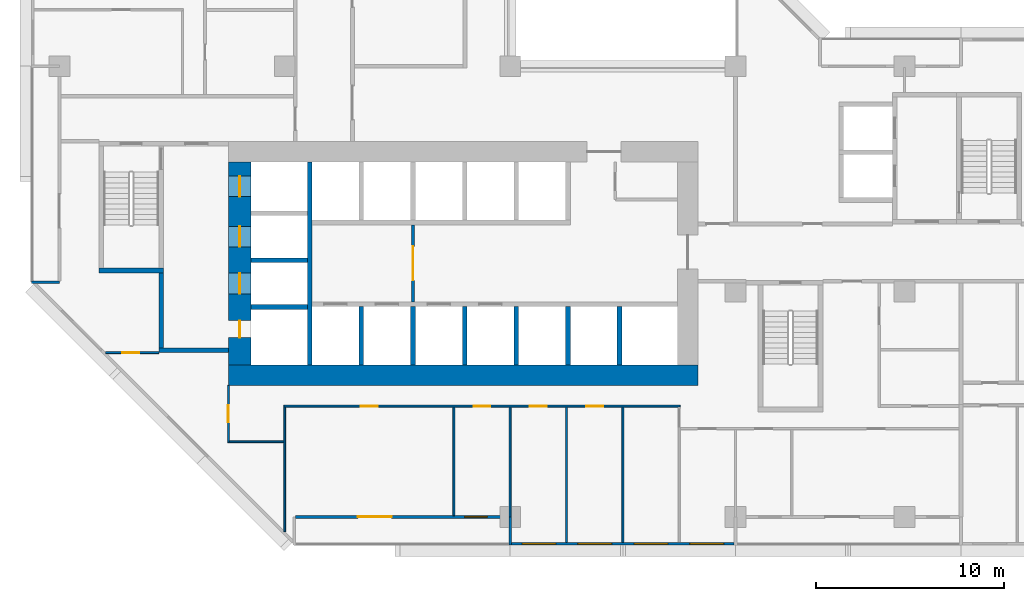
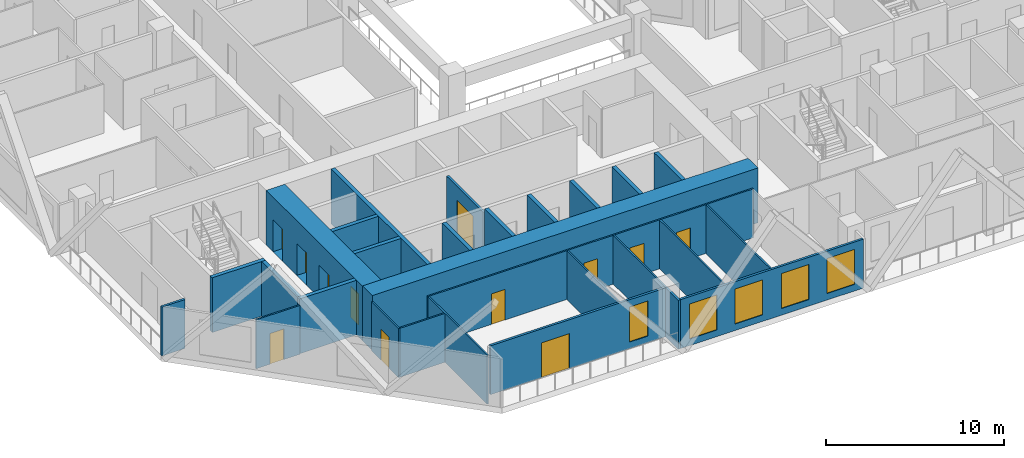
# One storey, part 4 of 16: 28 walls, 12 doors, 5 windows, 17 openings.
"""IFC4 building model written with IfcOpenShell, lengths in metres."""

import ifcopenshell
import ifcopenshell.guid

model = None  # the IFC model being written
_history = None  # IfcOwnerHistory: only IFC2X3 demands one
_inside = {}  # id of a spatial element -> (the spatial element, [elements in it])
_under = {}  # id of a project, library or spatial element -> (it, [spatial elements below it])
_declared = {}  # id of a project -> (the project, [libraries it declares])
_typed = {}  # id of a type object -> (the type object, [elements of that type])
_made_of = {}  # id of a material, layer set ... -> (it, [elements and type objects made of it])


def new_model(schema):
    """Start an empty IFC model of exactly this schema.

    Asked for "IFC4X3", IfcOpenShell would pick the latest addendum, in which some entities
    have other attributes; the version numbers below select the first issue.
    IFC2X3 requires an IfcOwnerHistory on every rooted entity: one is made here for all.
    """
    global model, _history
    if schema == "IFC4X3":
        model = ifcopenshell.file(schema_version=(4, 3, 0, 0))
    else:
        model = ifcopenshell.file(schema=schema)
    _inside.clear()
    _under.clear()
    _declared.clear()
    _typed.clear()
    _made_of.clear()
    _history = None
    if model.schema == "IFC2X3":
        org = make("IfcOrganization", Name="unknown")
        user = make(
            "IfcPersonAndOrganization",
            ThePerson=make("IfcPerson", FamilyName="unknown"),
            TheOrganization=org,
        )
        app = make(
            "IfcApplication",
            ApplicationDeveloper=org,
            Version="unknown",
            ApplicationFullName="unknown",
            ApplicationIdentifier="unknown",
        )
        _history = make(
            "IfcOwnerHistory",
            OwningUser=user,
            OwningApplication=app,
            ChangeAction="ADDED",
            CreationDate=0,
        )
    return model


def make(cls, **values):
    """One entity of the class cls with the attributes given. An attribute that is None is left unset."""
    return model.create_entity(
        cls, **{name: value for name, value in values.items() if value is not None}
    )


def rooted(cls, **values):
    """An entity with a GlobalId (a new one), such as an element, a storey or a relation."""
    return make(cls, GlobalId=ifcopenshell.guid.new(), OwnerHistory=_history, **values)


def si_unit(unit_type, name, prefix=None):
    """IfcSIUnit, for example si_unit("LENGTHUNIT", "METRE", prefix="MILLI")."""
    return make("IfcSIUnit", UnitType=unit_type, Prefix=prefix, Name=name)


def assignment(units):
    """IfcUnitAssignment: the units of a project."""
    return None if units is None else make("IfcUnitAssignment", Units=units)


def point(xyz):
    """IfcCartesianPoint."""
    return None if xyz is None else make("IfcCartesianPoint", Coordinates=xyz)


def direction(xyz):
    """IfcDirection."""
    return None if xyz is None else make("IfcDirection", DirectionRatios=xyz)


def frame(location, z_axis=None, x_axis=None):
    """IfcAxis2Placement3D, a coordinate frame: its origin and axes. An axis left out is left unset."""
    return make(
        "IfcAxis2Placement3D",
        Location=point(location),
        Axis=direction(z_axis),
        RefDirection=direction(x_axis),
    )


def frame_2d(location, x_axis=None):
    """IfcAxis2Placement2D, a coordinate frame in the plane: its origin and x axis."""
    return make(
        "IfcAxis2Placement2D", Location=point(location), RefDirection=direction(x_axis)
    )


def origin():
    """The frame at (0, 0, 0) with its axes left unset."""
    return frame((0.0, 0.0, 0.0))


def place(relative_to, where):
    """IfcLocalPlacement: puts the frame where relative to a parent placement (None: the world)."""
    return make(
        "IfcLocalPlacement", PlacementRelTo=relative_to, RelativePlacement=where
    )


def context(
    kind, dimensions, precision=None, world=None, true_north=None, identifier=None
):
    """IfcGeometricRepresentationContext, for example the 3D "Model" context."""
    return make(
        "IfcGeometricRepresentationContext",
        ContextIdentifier=identifier,
        ContextType=kind,
        CoordinateSpaceDimension=dimensions,
        Precision=precision,
        WorldCoordinateSystem=world,
        TrueNorth=true_north,
    )


def subcontext(parent, identifier, kind, view, scale=None):
    """IfcGeometricRepresentationSubContext, for example "Body" below "Model"."""
    return make(
        "IfcGeometricRepresentationSubContext",
        ContextIdentifier=identifier,
        ContextType=kind,
        ParentContext=parent,
        TargetScale=scale,
        TargetView=view,
    )


def project(units=None, contexts=None):
    """IfcProject with its units and contexts."""
    return rooted(
        "IfcProject",
        Name="project",
        RepresentationContexts=contexts,
        UnitsInContext=assignment(units),
    )


def spatial(cls, under=None, at=None, **own):
    """A site, building, storey or space (cls), placed at a placement, below another one or the project."""
    s = rooted(cls, ObjectPlacement=at, **own)
    if under is not None:
        _under.setdefault(under.id(), (under, []))[1].append(s)
    return s


def profile(cls, at=None, kind="AREA", **sizes):
    """A parametric profile (cls). Its sizes go by their IFC names, for example OverallWidth=200.0."""
    return make(cls, ProfileType=kind, Position=at, **sizes)


def rectangle(**sizes):
    """IfcRectangleProfileDef."""
    return profile("IfcRectangleProfileDef", **sizes)


def extrude(swept, where, along, depth):
    """IfcExtrudedAreaSolid: the profile swept, set in the frame where, extruded along a direction by depth."""
    return make(
        "IfcExtrudedAreaSolid",
        SweptArea=swept,
        Position=where,
        ExtrudedDirection=direction(along),
        Depth=depth,
    )


def shape(context_of_items, identifier, shape_type, items):
    """IfcShapeRepresentation: the items that make up one representation, for example the "Body"."""
    return make(
        "IfcShapeRepresentation",
        ContextOfItems=context_of_items,
        RepresentationIdentifier=identifier,
        RepresentationType=shape_type,
        Items=items,
    )


def material(Name=None, Category=None):
    """IfcMaterial."""
    return make("IfcMaterial", Name=Name, Category=Category)


def layer(
    of_material, thickness, ventilated=None, Name=None, Category=None, Priority=None
):
    """IfcMaterialLayer: one layer of a wall or slab, of a material (None: an air gap)."""
    return make(
        "IfcMaterialLayer",
        Material=of_material,
        LayerThickness=thickness,
        IsVentilated=ventilated,
        Name=Name,
        Category=Category,
        Priority=Priority,
    )


def layer_set(layers, Name=None):
    """IfcMaterialLayerSet."""
    return make("IfcMaterialLayerSet", MaterialLayers=layers, LayerSetName=Name)


def made_of(thing, what):
    """Note that an element or type object is made of a material, layer set ...; save() writes the relation."""
    if what is not None:
        _made_of.setdefault(what.id(), (what, []))[1].append(thing)
    return thing


def type_object(cls, material=None, **own):
    """A type object (cls), such as IfcWallType, which elements share."""
    return made_of(rooted(cls, **own), material)


def element(
    cls,
    number,
    at=None,
    inside=None,
    cuts=None,
    type_object=None,
    material=None,
    context=None,
    identifier="Body",
    shape_type=None,
    held_by="IfcProductDefinitionShape",
    body=None,
    shapes=None,
    **own,
):
    """One element of the class cls, such as IfcWall. Its Tag is "e" and its number.

    at: its placement. inside: the storey or other place that contains it. cuts: it is an
    opening in that element (IfcRelVoidsElement). A single representation is given by context,
    identifier, shape_type and body (its items); several are given by shapes. held_by: the class
    of the entity that holds the representations. save() writes the other relations.
    """
    e = rooted(cls, Tag="e%d" % number, ObjectPlacement=at, **own)
    if body is not None:
        shapes = [shape(context, identifier, shape_type, body)]
    if shapes is not None:
        e.Representation = make(held_by, Representations=shapes)
    if inside is not None:
        _inside.setdefault(inside.id(), (inside, []))[1].append(e)
    if cuts is not None:
        rooted(
            "IfcRelVoidsElement", RelatingBuildingElement=cuts, RelatedOpeningElement=e
        )
    if type_object is not None:
        _typed.setdefault(type_object.id(), (type_object, []))[1].append(e)
    return made_of(e, material)


def fill(opening, filler):
    """IfcRelFillsElement: the door or window that sits in an opening."""
    return rooted(
        "IfcRelFillsElement",
        RelatingOpeningElement=opening,
        RelatedBuildingElement=filler,
    )


def aggregate(whole, parts):
    """IfcRelAggregates: a whole, such as a stair, and the parts it consists of."""
    return rooted("IfcRelAggregates", RelatingObject=whole, RelatedObjects=parts)


def save(model, path):
    """Write the relations noted so far, then the file.

    IfcRelAggregates (storeys below a building ...), IfcRelContainedInSpatialStructure (elements
    in a storey), IfcRelDefinesByType, IfcRelAssociatesMaterial and IfcRelDeclares: one each for
    every whole, place, type object, material and project.
    """
    for whole, parts in _under.values():
        aggregate(whole, parts)
    for where, things in _inside.values():
        rooted(
            "IfcRelContainedInSpatialStructure",
            RelatedElements=things,
            RelatingStructure=where,
        )
    for kind, things in _typed.values():
        rooted("IfcRelDefinesByType", RelatedObjects=things, RelatingType=kind)
    for what, things in _made_of.values():
        rooted("IfcRelAssociatesMaterial", RelatedObjects=things, RelatingMaterial=what)
    for by, libraries in _declared.values():
        rooted("IfcRelDeclares", RelatingContext=by, RelatedDefinitions=libraries)
    model.write(path)


model = new_model("IFC4")

# Units and contexts
model_context = context("Model", 3, precision=1e-05, world=origin(), true_north=direction((0.0, 1.0)))
body_context = subcontext(model_context, "Body", "Model", "MODEL_VIEW")
ifc_project = project(units=[si_unit("LENGTHUNIT", "METRE"), si_unit("AREAUNIT", "SQUARE_METRE"), si_unit("VOLUMEUNIT", "CUBIC_METRE"), si_unit("PLANEANGLEUNIT", "RADIAN"), si_unit("MASSUNIT", "GRAM", prefix="KILO")], contexts=[model_context])

# Site, building, storey
site_placement = place(None, origin())
site = spatial("IfcSite", under=ifc_project, at=site_placement, CompositionType="ELEMENT")
building_placement = place(site_placement, origin())
building = spatial("IfcBuilding", under=site, at=building_placement, Name="Chenar Terraces", CompositionType="ELEMENT")
storey_placement = place(building_placement, frame((0.0, 0.0, 71.39990234375)))
storey = spatial("IfcBuildingStorey", under=building, at=storey_placement, Name="L15", CompositionType="ELEMENT", Elevation=71.39990234375)

# Wall, opening, door
ifc_material_1 = material(Name="Gypsum board on steel studs", Category="steel")
ifc_layer_1 = layer(ifc_material_1, 0.14990234375)
ifc_layer_set_1 = layer_set([ifc_layer_1], Name="Gypsum board on steel studs")
wall_type_1 = type_object("IfcWallType", Name="Core partition 150 gypsum board", PredefinedType="PARTITIONING", material=ifc_layer_set_1)
wall_1_placement = place(storey_placement, frame((18.824951171875, 11.449951171875, 0.0), z_axis=(0.0, 0.0, 1.0), x_axis=(0.0, 1.0, 0.0)))
wall_1 = element("IfcWall", 1, at=wall_1_placement, inside=storey, type_object=wall_type_1, Name="Core partition CP1 lift lobby smoke stop", PredefinedType="PARTITIONING", context=body_context, shape_type="SweptSolid", body=[
    extrude(rectangle(XDim=4.10009765625, YDim=0.14990234375, at=frame_2d((2.050048828125, 0.0))), origin(), (0.0, 0.0, 1.0), 3.35009765625),
])
opening_1_placement = place(wall_1_placement, frame((1.14990234375, 0.0, 0.0)))
opening_1 = element("IfcOpeningElement", 2, at=opening_1_placement, cuts=wall_1, Name="Opening DL15-C12", PredefinedType="OPENING", context=body_context, shape_type="SweptSolid", body=[
    extrude(rectangle(XDim=1.800048828125, YDim=2.39990234375, at=frame_2d((0.89990234375, 1.199951171875))), frame((0.0, 0.0849609375, 0.0), z_axis=(0.0, -1.0, 0.0), x_axis=(1.0, 0.0, 0.0)), (0.0, 0.0, 1.0), 0.169921875),
])
ifc_material_2 = material(Name="Steel-framed fire-resisting door leaf", Category="steel")
door_type_1 = type_object("IfcDoorType", Name="Core entrance double fire door FD60 1800 x 2400", OperationType="DOUBLE_DOOR_SINGLE_SWING", PredefinedType="DOOR", material=ifc_material_2)
door_1_placement = place(opening_1_placement, origin())
door_1 = element("IfcDoor", 3, at=door_1_placement, inside=storey, type_object=door_type_1, Name="Core door DL15-C12", OperationType="DOUBLE_DOOR_SINGLE_SWING", OverallHeight=2.39990234375, OverallWidth=1.800048828125, PredefinedType="DOOR", context=body_context, shape_type="SweptSolid", body=[
    extrude(rectangle(XDim=1.800048828125, YDim=2.39990234375, at=frame_2d((0.89990234375, 1.199951171875))), frame((0.0, 0.02490234375, 0.0), z_axis=(0.0, -1.0, 0.0), x_axis=(1.0, 0.0, 0.0)), (0.0, 0.0, 1.0), 0.050048828125),
])
fill(opening_1, door_1)

# Wall
ifc_material_3 = material(Name="Concrete C70/85", Category="concrete")
ifc_layer_2 = layer(ifc_material_3, 1.10009765625)
ifc_layer_set_2 = layer_set([ifc_layer_2], Name="Concrete C70/85")
wall_type_2 = type_object("IfcWallType", Name="Core wall 1100 Concrete C70/85", PredefinedType="SHEAR", material=ifc_layer_set_2)
wall_2_placement = place(storey_placement, frame((9.0, 7.550048828125, 0.0), z_axis=(0.0, 0.0, 1.0), x_axis=(1.0, 0.0, 0.0)))
element("IfcWall", 4, at=wall_2_placement, inside=storey, type_object=wall_type_2, Name="Core wall S L15", PredefinedType="SHEAR", context=body_context, shape_type="SweptSolid", body=[
    extrude(rectangle(XDim=25.0, YDim=1.10009765625, at=frame_2d((12.5, 0.0))), origin(), (0.0, 0.0, 1.0), 3.75),
])

# Wall, openings, doors
ifc_material_4 = material(Name="Concrete C70/85", Category="concrete")
ifc_layer_3 = layer(ifc_material_4, 1.199951171875)
ifc_layer_set_3 = layer_set([ifc_layer_3], Name="Concrete C70/85")
wall_type_3 = type_object("IfcWallType", Name="Core wall 1200 Concrete C70/85", PredefinedType="SHEAR", material=ifc_layer_set_3)
wall_3_placement = place(storey_placement, frame((9.60009765625, 8.10009765625, 0.0), z_axis=(0.0, 0.0, 1.0), x_axis=(0.0, 1.0, 0.0)))
wall_3 = element("IfcWall", 5, at=wall_3_placement, inside=storey, type_object=wall_type_3, Name="Core wall W L15", PredefinedType="SHEAR", context=body_context, shape_type="SweptSolid", body=[
    extrude(rectangle(XDim=10.7998046875, YDim=1.199951171875, at=frame_2d((5.39990234375, 0.0))), origin(), (0.0, 0.0, 1.0), 3.75),
])
opening_2_placement = place(wall_3_placement, frame((3.77490234375, 0.0, 0.0)))
opening_2 = element("IfcOpeningElement", 6, at=opening_2_placement, cuts=wall_3, Name="Opening DL15-LD5", PredefinedType="OPENING", context=body_context, shape_type="SweptSolid", body=[
    extrude(rectangle(XDim=1.10009765625, YDim=2.199951171875, at=frame_2d((0.550048828125, 1.10009765625))), frame((0.0, 0.60986328125, 0.0), z_axis=(0.0, -1.0, 0.0), x_axis=(1.0, 0.0, 0.0)), (0.0, 0.0, 1.0), 1.219970703125),
])
opening_3_placement = place(wall_3_placement, frame((6.27490234375, 0.0, 0.0)))
opening_3 = element("IfcOpeningElement", 7, at=opening_3_placement, cuts=wall_3, Name="Opening DL15-LD6", PredefinedType="OPENING", context=body_context, shape_type="SweptSolid", body=[
    extrude(rectangle(XDim=1.10009765625, YDim=2.199951171875, at=frame_2d((0.550048828125, 1.10009765625))), frame((0.0, 0.60986328125, 0.0), z_axis=(0.0, -1.0, 0.0), x_axis=(1.0, 0.0, 0.0)), (0.0, 0.0, 1.0), 1.219970703125),
])
opening_4_placement = place(wall_3_placement, frame((8.949951171875, 0.0, 0.0)))
opening_4 = element("IfcOpeningElement", 8, at=opening_4_placement, cuts=wall_3, Name="Opening DL15-LD7", PredefinedType="OPENING", context=body_context, shape_type="SweptSolid", body=[
    extrude(rectangle(XDim=1.10009765625, YDim=2.199951171875, at=frame_2d((0.550048828125, 1.10009765625))), frame((0.0, 0.60986328125, 0.0), z_axis=(0.0, -1.0, 0.0), x_axis=(1.0, 0.0, 0.0)), (0.0, 0.0, 1.0), 1.219970703125),
])
opening_5_placement = place(wall_3_placement, frame((1.449951171875, 0.0, 0.0)))
opening_5 = element("IfcOpeningElement", 9, at=opening_5_placement, cuts=wall_3, Name="Opening DL15-C4", PredefinedType="OPENING", context=body_context, shape_type="SweptSolid", body=[
    extrude(rectangle(XDim=0.89990234375, YDim=2.10009765625, at=frame_2d((0.449951171875, 1.050048828125))), frame((0.0, 0.60986328125, 0.0), z_axis=(0.0, -1.0, 0.0), x_axis=(1.0, 0.0, 0.0)), (0.0, 0.0, 1.0), 1.219970703125),
])
ifc_material_5 = material(Name="Stainless steel", Category="steel")
door_type_2 = type_object("IfcDoorType", Name="Lift landing door 1100 x 2200 sliding", OperationType="DOUBLE_DOOR_SLIDING", PredefinedType="DOOR", material=ifc_material_5)
door_2_placement = place(opening_2_placement, origin())
door_2 = element("IfcDoor", 10, at=door_2_placement, inside=storey, type_object=door_type_2, Name="Landing door S1", OperationType="DOUBLE_DOOR_SLIDING", OverallHeight=2.199951171875, OverallWidth=1.10009765625, PredefinedType="DOOR", context=body_context, shape_type="SweptSolid", body=[
    extrude(rectangle(XDim=1.10009765625, YDim=2.199951171875, at=frame_2d((0.550048828125, 1.10009765625))), frame((0.0, 0.02490234375, 0.0), z_axis=(0.0, -1.0, 0.0), x_axis=(1.0, 0.0, 0.0)), (0.0, 0.0, 1.0), 0.050048828125),
])
fill(opening_2, door_2)
door_3_placement = place(opening_3_placement, origin())
door_3 = element("IfcDoor", 11, at=door_3_placement, inside=storey, type_object=door_type_2, Name="Landing door F1", OperationType="DOUBLE_DOOR_SLIDING", OverallHeight=2.199951171875, OverallWidth=1.10009765625, PredefinedType="DOOR", context=body_context, shape_type="SweptSolid", body=[
    extrude(rectangle(XDim=1.10009765625, YDim=2.199951171875, at=frame_2d((0.550048828125, 1.10009765625))), frame((0.0, 0.02490234375, 0.0), z_axis=(0.0, -1.0, 0.0), x_axis=(1.0, 0.0, 0.0)), (0.0, 0.0, 1.0), 0.050048828125),
])
fill(opening_3, door_3)
door_4_placement = place(opening_4_placement, origin())
door_4 = element("IfcDoor", 12, at=door_4_placement, inside=storey, type_object=door_type_2, Name="Landing door F2", OperationType="DOUBLE_DOOR_SLIDING", OverallHeight=2.199951171875, OverallWidth=1.10009765625, PredefinedType="DOOR", context=body_context, shape_type="SweptSolid", body=[
    extrude(rectangle(XDim=1.10009765625, YDim=2.199951171875, at=frame_2d((0.550048828125, 1.10009765625))), frame((0.0, 0.02490234375, 0.0), z_axis=(0.0, -1.0, 0.0), x_axis=(1.0, 0.0, 0.0)), (0.0, 0.0, 1.0), 0.050048828125),
])
fill(opening_4, door_4)
ifc_material_6 = material(Name="Steel-framed fire-resisting door leaf", Category="steel")
door_type_3 = type_object("IfcDoorType", Name="Riser fire door FD60 900 x 2100", OperationType="SINGLE_SWING_LEFT", PredefinedType="DOOR", material=ifc_material_6)
door_5_placement = place(opening_5_placement, frame((0.89990234375, 0.0, 0.0), z_axis=(0.0, 0.0, 1.0), x_axis=(-1.0, 0.0, 0.0)))
door_5 = element("IfcDoor", 13, at=door_5_placement, inside=storey, type_object=door_type_3, Name="Riser door DL15-C4", OperationType="SINGLE_SWING_RIGHT", OverallHeight=2.10009765625, OverallWidth=0.89990234375, PredefinedType="DOOR", context=body_context, shape_type="SweptSolid", body=[
    extrude(rectangle(XDim=0.89990234375, YDim=2.10009765625, at=frame_2d((0.449951171875, 1.050048828125))), frame((0.0, 0.02490234375, 0.0), z_axis=(0.0, -1.0, 0.0), x_axis=(1.0, 0.0, 0.0)), (0.0, 0.0, 1.0), 0.050048828125),
])
fill(opening_5, door_5)

# Walls
ifc_material_7 = material(Name="Concrete C70/85", Category="concrete")
ifc_layer_4 = layer(ifc_material_7, 0.25)
ifc_layer_set_4 = layer_set([ifc_layer_4], Name="Concrete C70/85")
wall_type_4 = type_object("IfcWallType", Name="Core wall 250 Concrete C70/85", PredefinedType="SHEAR", material=ifc_layer_set_4)
wall_4_placement = place(storey_placement, frame((13.324951171875, 8.10009765625, 0.0), z_axis=(0.0, 0.0, 1.0), x_axis=(0.0, 1.0, 0.0)))
element("IfcWall", 14, at=wall_4_placement, inside=storey, type_object=wall_type_4, Name="Core wall WI L15", PredefinedType="SHEAR", context=body_context, shape_type="SweptSolid", body=[
    extrude(rectangle(XDim=10.7998046875, YDim=0.25, at=frame_2d((5.39990234375, 0.0))), origin(), (0.0, 0.0, 1.0), 3.75),
])
for number, where, z_axis, x_axis, name in (
    (15, (10.199951171875, 11.175048828125, 0.0), (0.0, 0.0, 1.0), (1.0, 0.0, 0.0), "Core wall HW0 L15"),
    (16, (10.199951171875, 13.675048828125, 0.0), (0.0, 0.0, 1.0), (1.0, 0.0, 0.0), "Core wall HW1 L15"),
):
    element("IfcWall", number, at=place(storey_placement, frame(where, z_axis=z_axis, x_axis=x_axis)), inside=storey, type_object=wall_type_4, Name=name, PredefinedType="SHEAR", context=body_context, shape_type="SweptSolid", body=[
        extrude(rectangle(XDim=3.0, YDim=0.25, at=frame_2d((1.5, 0.0))), origin(), (0.0, 0.0, 1.0), 3.75),
    ])
for number, where, z_axis, x_axis, name in (
    (17, (16.074951171875, 8.10009765625, 0.0), (0.0, 0.0, 1.0), (0.0, 1.0, 0.0), "Core wall SS0 L15"),
    (18, (18.824951171875, 8.10009765625, 0.0), (0.0, 0.0, 1.0), (0.0, 1.0, 0.0), "Core wall SS1 L15"),
    (19, (21.574951171875, 8.10009765625, 0.0), (0.0, 0.0, 1.0), (0.0, 1.0, 0.0), "Core wall SS2 L15"),
    (20, (24.324951171875, 8.10009765625, 0.0), (0.0, 0.0, 1.0), (0.0, 1.0, 0.0), "Core wall SS3 L15"),
    (21, (27.074951171875, 8.10009765625, 0.0), (0.0, 0.0, 1.0), (0.0, 1.0, 0.0), "Core wall SS4 L15"),
    (22, (29.824951171875, 8.10009765625, 0.0), (0.0, 0.0, 1.0), (0.0, 1.0, 0.0), "Core wall SS5 L15"),
):
    element("IfcWall", number, at=place(storey_placement, frame(where, z_axis=z_axis, x_axis=x_axis)), inside=storey, type_object=wall_type_4, Name=name, PredefinedType="SHEAR", context=body_context, shape_type="SweptSolid", body=[
        extrude(rectangle(XDim=3.099853515625, YDim=0.25, at=frame_2d((1.5498046875, 0.0))), origin(), (0.0, 0.0, 1.0), 3.75),
    ])
wall_5_placement = place(storey_placement, frame((2.10009765625, 13.125, 0.0), z_axis=(0.0, 0.0, 1.0), x_axis=(1.0, 0.0, 0.0)))
element("IfcWall", 23, at=wall_5_placement, inside=storey, type_object=wall_type_4, Name="Core wall ST1_S L15", PredefinedType="SHEAR", context=body_context, shape_type="SweptSolid", body=[
    extrude(rectangle(XDim=3.449951171875, YDim=0.25, at=frame_2d((1.72509765625, 0.0))), origin(), (0.0, 0.0, 1.0), 3.75),
])
wall_6_placement = place(storey_placement, frame((5.300048828125, 8.875, 0.0), z_axis=(0.0, 0.0, 1.0), x_axis=(1.0, 0.0, 0.0)))
element("IfcWall", 24, at=wall_6_placement, inside=storey, type_object=wall_type_4, Name="Core wall FFL_S L15", PredefinedType="SHEAR", context=body_context, shape_type="SweptSolid", body=[
    extrude(rectangle(XDim=3.699951171875, YDim=0.25, at=frame_2d((1.85009765625, 0.0))), origin(), (0.0, 0.0, 1.0), 3.75),
])
wall_7_placement = place(storey_placement, frame((5.425048828125, 9.0, 0.0), z_axis=(0.0, 0.0, 1.0), x_axis=(0.0, 1.0, 0.0)))
element("IfcWall", 25, at=wall_7_placement, inside=storey, type_object=wall_type_4, Name="Core wall FFL_W L15", PredefinedType="SHEAR", context=body_context, shape_type="SweptSolid", body=[
    extrude(rectangle(XDim=4.0, YDim=0.25, at=frame_2d((2.0, 0.0))), origin(), (0.0, 0.0, 1.0), 3.75),
])

# Wall, openings, windows
ifc_material_8 = material(Name="Aluminium framed glazing", Category="aluminium")
ifc_layer_5 = layer(ifc_material_8, 0.14990234375)
ifc_layer_set_5 = layer_set([ifc_layer_5], Name="Aluminium framed glazing")
wall_type_5 = type_object("IfcWallType", Name="Glazed flush facade wall 150", PredefinedType="SOLIDWALL", material=ifc_layer_set_5)
wall_8_placement = place(storey_placement, frame((24.074951171875, -1.425048828125, 0.0), z_axis=(0.0, 0.0, 1.0), x_axis=(1.0, 0.0, 0.0)))
wall_8 = element("IfcWall", 26, at=wall_8_placement, inside=storey, type_object=wall_type_5, Name="Glazed flush facade wall", PredefinedType="SOLIDWALL", context=body_context, shape_type="SweptSolid", body=[
    extrude(rectangle(XDim=11.85009765625, YDim=0.14990234375, at=frame_2d((5.925048828125, 0.0))), origin(), (0.0, 0.0, 1.0), 3.35009765625),
])
opening_6_placement = place(wall_8_placement, frame((0.5625, 0.0, 0.449951171875)))
opening_6 = element("IfcOpeningElement", 27, at=opening_6_placement, cuts=wall_8, Name="Opening W180x240", PredefinedType="OPENING", context=body_context, shape_type="SweptSolid", body=[
    extrude(rectangle(XDim=1.800048828125, YDim=2.39990234375, at=frame_2d((0.89990234375, 1.199951171875))), frame((0.0, 0.0849609375, 0.0), z_axis=(0.0, -1.0, 0.0), x_axis=(1.0, 0.0, 0.0)), (0.0, 0.0, 1.0), 0.169921875),
])
opening_7_placement = place(wall_8_placement, frame((3.52490234375, 0.0, 0.449951171875)))
opening_7 = element("IfcOpeningElement", 28, at=opening_7_placement, cuts=wall_8, Name="Opening W180x240", PredefinedType="OPENING", context=body_context, shape_type="SweptSolid", body=[
    extrude(rectangle(XDim=1.800048828125, YDim=2.39990234375, at=frame_2d((0.89990234375, 1.199951171875))), frame((0.0, 0.0849609375, 0.0), z_axis=(0.0, -1.0, 0.0), x_axis=(1.0, 0.0, 0.0)), (0.0, 0.0, 1.0), 0.169921875),
])
opening_8_placement = place(wall_8_placement, frame((6.52490234375, 0.0, 0.449951171875)))
opening_8 = element("IfcOpeningElement", 29, at=opening_8_placement, cuts=wall_8, Name="Opening W180x240", PredefinedType="OPENING", context=body_context, shape_type="SweptSolid", body=[
    extrude(rectangle(XDim=1.800048828125, YDim=2.39990234375, at=frame_2d((0.89990234375, 1.199951171875))), frame((0.0, 0.0849609375, 0.0), z_axis=(0.0, -1.0, 0.0), x_axis=(1.0, 0.0, 0.0)), (0.0, 0.0, 1.0), 0.169921875),
])
opening_9_placement = place(wall_8_placement, frame((9.487548828125, 0.0, 0.449951171875)))
opening_9 = element("IfcOpeningElement", 30, at=opening_9_placement, cuts=wall_8, Name="Opening W180x240", PredefinedType="OPENING", context=body_context, shape_type="SweptSolid", body=[
    extrude(rectangle(XDim=1.800048828125, YDim=2.39990234375, at=frame_2d((0.89990234375, 1.199951171875))), frame((0.0, 0.0849609375, 0.0), z_axis=(0.0, -1.0, 0.0), x_axis=(1.0, 0.0, 0.0)), (0.0, 0.0, 1.0), 0.169921875),
])
ifc_material_9 = material(Name="Low emissivity double glazing, aluminium frame", Category="aluminium")
window_type_1 = type_object("IfcWindowType", Name="Fixed light 1800 x 2400", PartitioningType="SINGLE_PANEL", PredefinedType="WINDOW", material=ifc_material_9)
window_1_placement = place(opening_6_placement, origin())
window_1 = element("IfcWindow", 31, at=window_1_placement, inside=storey, type_object=window_type_1, Name="Window", OverallHeight=2.39990234375, OverallWidth=1.800048828125, PartitioningType="SINGLE_PANEL", PredefinedType="WINDOW", context=body_context, shape_type="SweptSolid", body=[
    extrude(rectangle(XDim=1.800048828125, YDim=2.39990234375, at=frame_2d((0.89990234375, 1.199951171875))), frame((0.0, 0.030029296875, 0.0), z_axis=(0.0, -1.0, 0.0), x_axis=(1.0, 0.0, 0.0)), (0.0, 0.0, 1.0), 0.06005859375),
])
fill(opening_6, window_1)
window_2_placement = place(opening_7_placement, origin())
window_2 = element("IfcWindow", 32, at=window_2_placement, inside=storey, type_object=window_type_1, Name="Window", OverallHeight=2.39990234375, OverallWidth=1.800048828125, PartitioningType="SINGLE_PANEL", PredefinedType="WINDOW", context=body_context, shape_type="SweptSolid", body=[
    extrude(rectangle(XDim=1.800048828125, YDim=2.39990234375, at=frame_2d((0.89990234375, 1.199951171875))), frame((0.0, 0.030029296875, 0.0), z_axis=(0.0, -1.0, 0.0), x_axis=(1.0, 0.0, 0.0)), (0.0, 0.0, 1.0), 0.06005859375),
])
fill(opening_7, window_2)
window_3_placement = place(opening_8_placement, origin())
window_3 = element("IfcWindow", 33, at=window_3_placement, inside=storey, type_object=window_type_1, Name="Window", OverallHeight=2.39990234375, OverallWidth=1.800048828125, PartitioningType="SINGLE_PANEL", PredefinedType="WINDOW", context=body_context, shape_type="SweptSolid", body=[
    extrude(rectangle(XDim=1.800048828125, YDim=2.39990234375, at=frame_2d((0.89990234375, 1.199951171875))), frame((0.0, 0.030029296875, 0.0), z_axis=(0.0, -1.0, 0.0), x_axis=(1.0, 0.0, 0.0)), (0.0, 0.0, 1.0), 0.06005859375),
])
fill(opening_8, window_3)
window_4_placement = place(opening_9_placement, origin())
window_4 = element("IfcWindow", 34, at=window_4_placement, inside=storey, type_object=window_type_1, Name="Window", OverallHeight=2.39990234375, OverallWidth=1.800048828125, PartitioningType="SINGLE_PANEL", PredefinedType="WINDOW", context=body_context, shape_type="SweptSolid", body=[
    extrude(rectangle(XDim=1.800048828125, YDim=2.39990234375, at=frame_2d((0.89990234375, 1.199951171875))), frame((0.0, 0.030029296875, 0.0), z_axis=(0.0, -1.0, 0.0), x_axis=(1.0, 0.0, 0.0)), (0.0, 0.0, 1.0), 0.06005859375),
])
fill(opening_9, window_4)

# Wall, openings, window, door
ifc_material_10 = material(Name="Aluminium framed glazing", Category="aluminium")
ifc_layer_6 = layer(ifc_material_10, 0.14990234375)
ifc_layer_set_6 = layer_set([ifc_layer_6], Name="Aluminium framed glazing")
wall_type_6 = type_object("IfcWallType", Name="Glazed loggia back wall 150", PredefinedType="SOLIDWALL", material=ifc_layer_set_6)
wall_9_placement = place(storey_placement, frame((12.574951171875, 0.0, 0.0), z_axis=(0.0, 0.0, 1.0), x_axis=(1.0, 0.0, 0.0)))
wall_9 = element("IfcWall", 35, at=wall_9_placement, inside=storey, type_object=wall_type_6, Name="Glazed loggia back wall", PredefinedType="SOLIDWALL", context=body_context, shape_type="SweptSolid", body=[
    extrude(rectangle(XDim=11.35009765625, YDim=0.14990234375, at=frame_2d((5.675048828125, 0.0))), origin(), (0.0, 0.0, 1.0), 3.35009765625),
])
opening_10_placement = place(wall_9_placement, frame((3.3125, 0.0, 0.0)))
opening_10 = element("IfcOpeningElement", 36, at=opening_10_placement, cuts=wall_9, Name="Opening DL15-G5", PredefinedType="OPENING", context=body_context, shape_type="SweptSolid", body=[
    extrude(rectangle(XDim=1.800048828125, YDim=2.39990234375, at=frame_2d((0.89990234375, 1.199951171875))), frame((0.0, 0.0849609375, 0.0), z_axis=(0.0, -1.0, 0.0), x_axis=(1.0, 0.0, 0.0)), (0.0, 0.0, 1.0), 0.169921875),
])
opening_11_placement = place(wall_9_placement, frame((9.0, 0.0, 0.449951171875)))
opening_11 = element("IfcOpeningElement", 37, at=opening_11_placement, cuts=wall_9, Name="Opening W120x240", PredefinedType="OPENING", context=body_context, shape_type="SweptSolid", body=[
    extrude(rectangle(XDim=1.199951171875, YDim=2.39990234375, at=frame_2d((0.60009765625, 1.199951171875))), frame((0.0, 0.0849609375, 0.0), z_axis=(0.0, -1.0, 0.0), x_axis=(1.0, 0.0, 0.0)), (0.0, 0.0, 1.0), 0.169921875),
])
ifc_material_11 = material(Name="Low emissivity double glazing, aluminium frame", Category="aluminium")
window_type_2 = type_object("IfcWindowType", Name="Fixed light 1200 x 2400", PartitioningType="SINGLE_PANEL", PredefinedType="WINDOW", material=ifc_material_11)
window_5_placement = place(opening_11_placement, origin())
window_5 = element("IfcWindow", 38, at=window_5_placement, inside=storey, type_object=window_type_2, Name="Window", OverallHeight=2.39990234375, OverallWidth=1.199951171875, PartitioningType="SINGLE_PANEL", PredefinedType="WINDOW", context=body_context, shape_type="SweptSolid", body=[
    extrude(rectangle(XDim=1.199951171875, YDim=2.39990234375, at=frame_2d((0.60009765625, 1.199951171875))), frame((0.0, 0.030029296875, 0.0), z_axis=(0.0, -1.0, 0.0), x_axis=(1.0, 0.0, 0.0)), (0.0, 0.0, 1.0), 0.06005859375),
])
fill(opening_11, window_5)
ifc_material_12 = material(Name="Low emissivity double glazing, aluminium frame", Category="aluminium")
door_type_4 = type_object("IfcDoorType", Name="Loggia glazed double door 1800 x 2400", OperationType="DOUBLE_DOOR_SINGLE_SWING", PredefinedType="DOOR", material=ifc_material_12)
door_6_placement = place(opening_10_placement, frame((1.800048828125, 0.0, 0.0), z_axis=(0.0, 0.0, 1.0), x_axis=(-1.0, 0.0, 0.0)))
door_6 = element("IfcDoor", 39, at=door_6_placement, inside=storey, type_object=door_type_4, Name="Loggia glazed door", OperationType="DOUBLE_DOOR_SINGLE_SWING", OverallHeight=2.39990234375, OverallWidth=1.800048828125, PredefinedType="DOOR", context=body_context, shape_type="SweptSolid", body=[
    extrude(rectangle(XDim=1.800048828125, YDim=2.39990234375, at=frame_2d((0.89990234375, 1.199951171875))), frame((0.0, 0.02490234375, 0.0), z_axis=(0.0, -1.0, 0.0), x_axis=(1.0, 0.0, 0.0)), (0.0, 0.0, 1.0), 0.050048828125),
])
fill(opening_10, door_6)

# Wall, opening, door
ifc_material_13 = material(Name="Gypsum board on steel studs", Category="steel")
ifc_layer_7 = layer(ifc_material_13, 0.10009765625)
ifc_layer_set_7 = layer_set([ifc_layer_7], Name="Gypsum board on steel studs")
wall_type_7 = type_object("IfcWallType", Name="Gypsum partition 100", PredefinedType="PARTITIONING", material=ifc_layer_set_7)
wall_10_placement = place(storey_placement, frame((2.4609375, 8.75, 0.0), z_axis=(0.0, 0.0, 1.0), x_axis=(1.0, 0.0, 0.0)))
wall_10 = element("IfcWall", 40, at=wall_10_placement, inside=storey, type_object=wall_type_7, Name="Partition L15-013", PredefinedType="PARTITIONING", context=body_context, shape_type="SweptSolid", body=[
    extrude(rectangle(XDim=2.839111328125, YDim=0.10009765625, at=frame_2d((1.41943359375, 0.0))), origin(), (0.0, 0.0, 1.0), 3.35009765625),
])
opening_12_placement = place(wall_10_placement, frame((0.888916015625, 0.0, 0.0)))
opening_12 = element("IfcOpeningElement", 41, at=opening_12_placement, cuts=wall_10, Name="Opening DL15-65", PredefinedType="OPENING", context=body_context, shape_type="SweptSolid", body=[
    extrude(rectangle(XDim=0.89990234375, YDim=2.10009765625, at=frame_2d((0.449951171875, 1.050048828125))), frame((0.0, 0.06005859375, 0.0), z_axis=(0.0, -1.0, 0.0), x_axis=(1.0, 0.0, 0.0)), (0.0, 0.0, 1.0), 0.1201171875),
])
ifc_material_14 = material(Name="Veneered timber door leaf", Category="wood")
door_type_5 = type_object("IfcDoorType", Name="Door 900 x 2100", OperationType="SINGLE_SWING_LEFT", PredefinedType="DOOR", material=ifc_material_14)
door_7_placement = place(opening_12_placement, frame((0.89990234375, 0.0, 0.0), z_axis=(0.0, 0.0, 1.0), x_axis=(-1.0, 0.0, 0.0)))
door_7 = element("IfcDoor", 42, at=door_7_placement, inside=storey, type_object=door_type_5, Name="Door DL15-65", OperationType="SINGLE_SWING_RIGHT", OverallHeight=2.10009765625, OverallWidth=0.89990234375, PredefinedType="DOOR", context=body_context, shape_type="SweptSolid", body=[
    extrude(rectangle(XDim=0.89990234375, YDim=2.10009765625, at=frame_2d((0.449951171875, 1.050048828125))), frame((0.0, 0.02490234375, 0.0), z_axis=(0.0, -1.0, 0.0), x_axis=(1.0, 0.0, 0.0)), (0.0, 0.0, 1.0), 0.050048828125),
])
fill(opening_12, door_7)

wall_11_placement = place(storey_placement, frame((9.0, 3.949951171875, 0.0), z_axis=(0.0, 0.0, 1.0), x_axis=(0.0, 1.0, 0.0)))
wall_11 = element("IfcWall", 43, at=wall_11_placement, inside=storey, type_object=wall_type_7, Name="Partition L15-031", PredefinedType="PARTITIONING", context=body_context, shape_type="SweptSolid", body=[
    extrude(rectangle(XDim=3.050048828125, YDim=0.10009765625, at=frame_2d((1.52490234375, 0.0))), origin(), (0.0, 0.0, 1.0), 3.35009765625),
])
opening_13_placement = place(wall_11_placement, frame((1.10009765625, 0.0, 0.0)))
opening_13 = element("IfcOpeningElement", 44, at=opening_13_placement, cuts=wall_11, Name="Opening DL15-64", PredefinedType="OPENING", context=body_context, shape_type="SweptSolid", body=[
    extrude(rectangle(XDim=0.89990234375, YDim=2.10009765625, at=frame_2d((0.449951171875, 1.050048828125))), frame((0.0, 0.06005859375, 0.0), z_axis=(0.0, -1.0, 0.0), x_axis=(1.0, 0.0, 0.0)), (0.0, 0.0, 1.0), 0.1201171875),
])
door_8_placement = place(opening_13_placement, origin())
door_8 = element("IfcDoor", 45, at=door_8_placement, inside=storey, type_object=door_type_5, Name="Door DL15-64", OperationType="SINGLE_SWING_LEFT", OverallHeight=2.10009765625, OverallWidth=0.89990234375, PredefinedType="DOOR", context=body_context, shape_type="SweptSolid", body=[
    extrude(rectangle(XDim=0.89990234375, YDim=2.10009765625, at=frame_2d((0.449951171875, 1.050048828125))), frame((0.0, 0.02490234375, 0.0), z_axis=(0.0, -1.0, 0.0), x_axis=(1.0, 0.0, 0.0)), (0.0, 0.0, 1.0), 0.050048828125),
])
fill(opening_13, door_8)

# Wall
wall_12_placement = place(storey_placement, frame((9.050048828125, 4.0, 0.0), z_axis=(0.0, 0.0, 1.0), x_axis=(1.0, 0.0, 0.0)))
element("IfcWall", 46, at=wall_12_placement, inside=storey, type_object=wall_type_7, Name="Partition L15-032", PredefinedType="PARTITIONING", context=body_context, shape_type="SweptSolid", body=[
    extrude(rectangle(XDim=2.89990234375, YDim=0.10009765625, at=frame_2d((1.449951171875, 0.0))), origin(), (0.0, 0.0, 1.0), 3.35009765625),
])

# Wall, openings, doors
wall_13_placement = place(storey_placement, frame((11.949951171875, 5.89990234375, 0.0), z_axis=(0.0, 0.0, 1.0), x_axis=(1.0, 0.0, 0.0)))
wall_13 = element("IfcWall", 47, at=wall_13_placement, inside=storey, type_object=wall_type_7, Name="Partition L15-033", PredefinedType="PARTITIONING", context=body_context, shape_type="SweptSolid", body=[
    extrude(rectangle(XDim=21.10009765625, YDim=0.10009765625, at=frame_2d((10.550048828125, 0.0))), origin(), (0.0, 0.0, 1.0), 3.35009765625),
])
opening_14_placement = place(wall_13_placement, frame((10.10009765625, 0.0, 0.0)))
opening_14 = element("IfcOpeningElement", 48, at=opening_14_placement, cuts=wall_13, Name="Opening DL15-58", PredefinedType="OPENING", context=body_context, shape_type="SweptSolid", body=[
    extrude(rectangle(XDim=0.89990234375, YDim=2.10009765625, at=frame_2d((0.449951171875, 1.050048828125))), frame((0.0, 0.06005859375, 0.0), z_axis=(0.0, -1.0, 0.0), x_axis=(1.0, 0.0, 0.0)), (0.0, 0.0, 1.0), 0.1201171875),
])
opening_15_placement = place(wall_13_placement, frame((13.10009765625, 0.0, 0.0)))
opening_15 = element("IfcOpeningElement", 49, at=opening_15_placement, cuts=wall_13, Name="Opening DL15-59", PredefinedType="OPENING", context=body_context, shape_type="SweptSolid", body=[
    extrude(rectangle(XDim=0.89990234375, YDim=2.10009765625, at=frame_2d((0.449951171875, 1.050048828125))), frame((0.0, 0.06005859375, 0.0), z_axis=(0.0, -1.0, 0.0), x_axis=(1.0, 0.0, 0.0)), (0.0, 0.0, 1.0), 0.1201171875),
])
opening_16_placement = place(wall_13_placement, frame((16.10009765625, 0.0, 0.0)))
opening_16 = element("IfcOpeningElement", 50, at=opening_16_placement, cuts=wall_13, Name="Opening DL15-60", PredefinedType="OPENING", context=body_context, shape_type="SweptSolid", body=[
    extrude(rectangle(XDim=0.89990234375, YDim=2.10009765625, at=frame_2d((0.449951171875, 1.050048828125))), frame((0.0, 0.06005859375, 0.0), z_axis=(0.0, -1.0, 0.0), x_axis=(1.0, 0.0, 0.0)), (0.0, 0.0, 1.0), 0.1201171875),
])
opening_17_placement = place(wall_13_placement, frame((4.10009765625, 0.0, 0.0)))
opening_17 = element("IfcOpeningElement", 51, at=opening_17_placement, cuts=wall_13, Name="Opening DL15-68", PredefinedType="OPENING", context=body_context, shape_type="SweptSolid", body=[
    extrude(rectangle(XDim=0.89990234375, YDim=2.10009765625, at=frame_2d((0.449951171875, 1.050048828125))), frame((0.0, 0.06005859375, 0.0), z_axis=(0.0, -1.0, 0.0), x_axis=(1.0, 0.0, 0.0)), (0.0, 0.0, 1.0), 0.1201171875),
])
door_9_placement = place(opening_14_placement, frame((0.89990234375, 0.0, 0.0), z_axis=(0.0, 0.0, 1.0), x_axis=(-1.0, 0.0, 0.0)))
door_9 = element("IfcDoor", 52, at=door_9_placement, inside=storey, type_object=door_type_5, Name="Door DL15-58", OperationType="SINGLE_SWING_RIGHT", OverallHeight=2.10009765625, OverallWidth=0.89990234375, PredefinedType="DOOR", context=body_context, shape_type="SweptSolid", body=[
    extrude(rectangle(XDim=0.89990234375, YDim=2.10009765625, at=frame_2d((0.449951171875, 1.050048828125))), frame((0.0, 0.02490234375, 0.0), z_axis=(0.0, -1.0, 0.0), x_axis=(1.0, 0.0, 0.0)), (0.0, 0.0, 1.0), 0.050048828125),
])
fill(opening_14, door_9)
door_10_placement = place(opening_15_placement, frame((0.89990234375, 0.0, 0.0), z_axis=(0.0, 0.0, 1.0), x_axis=(-1.0, 0.0, 0.0)))
door_10 = element("IfcDoor", 53, at=door_10_placement, inside=storey, type_object=door_type_5, Name="Door DL15-59", OperationType="SINGLE_SWING_RIGHT", OverallHeight=2.10009765625, OverallWidth=0.89990234375, PredefinedType="DOOR", context=body_context, shape_type="SweptSolid", body=[
    extrude(rectangle(XDim=0.89990234375, YDim=2.10009765625, at=frame_2d((0.449951171875, 1.050048828125))), frame((0.0, 0.02490234375, 0.0), z_axis=(0.0, -1.0, 0.0), x_axis=(1.0, 0.0, 0.0)), (0.0, 0.0, 1.0), 0.050048828125),
])
fill(opening_15, door_10)
door_11_placement = place(opening_16_placement, frame((0.89990234375, 0.0, 0.0), z_axis=(0.0, 0.0, 1.0), x_axis=(-1.0, 0.0, 0.0)))
door_11 = element("IfcDoor", 54, at=door_11_placement, inside=storey, type_object=door_type_5, Name="Door DL15-60", OperationType="SINGLE_SWING_RIGHT", OverallHeight=2.10009765625, OverallWidth=0.89990234375, PredefinedType="DOOR", context=body_context, shape_type="SweptSolid", body=[
    extrude(rectangle(XDim=0.89990234375, YDim=2.10009765625, at=frame_2d((0.449951171875, 1.050048828125))), frame((0.0, 0.02490234375, 0.0), z_axis=(0.0, -1.0, 0.0), x_axis=(1.0, 0.0, 0.0)), (0.0, 0.0, 1.0), 0.050048828125),
])
fill(opening_16, door_11)
door_12_placement = place(opening_17_placement, frame((0.89990234375, 0.0, 0.0), z_axis=(0.0, 0.0, 1.0), x_axis=(-1.0, 0.0, 0.0)))
door_12 = element("IfcDoor", 55, at=door_12_placement, inside=storey, type_object=door_type_5, Name="Door DL15-68", OperationType="SINGLE_SWING_RIGHT", OverallHeight=2.10009765625, OverallWidth=0.89990234375, PredefinedType="DOOR", context=body_context, shape_type="SweptSolid", body=[
    extrude(rectangle(XDim=0.89990234375, YDim=2.10009765625, at=frame_2d((0.449951171875, 1.050048828125))), frame((0.0, 0.02490234375, 0.0), z_axis=(0.0, -1.0, 0.0), x_axis=(1.0, 0.0, 0.0)), (0.0, 0.0, 1.0), 0.050048828125),
])
fill(opening_17, door_12)

# Walls
wall_14_placement = place(storey_placement, frame((12.0, -0.787841796875, 0.0), z_axis=(0.0, 0.0, 1.0), x_axis=(0.0, 1.0, 0.0)))
element("IfcWall", 56, at=wall_14_placement, inside=storey, type_object=wall_type_7, Name="Partition L15-034", PredefinedType="PARTITIONING", context=body_context, shape_type="SweptSolid", body=[
    extrude(rectangle(XDim=6.637939453125, YDim=0.10009765625, at=frame_2d((3.31884765625, 0.0))), origin(), (0.0, 0.0, 1.0), 3.35009765625),
])
wall_15_placement = place(storey_placement, frame((21.0, 0.073974609375, 0.0), z_axis=(0.0, 0.0, 1.0), x_axis=(0.0, 1.0, 0.0)))
element("IfcWall", 57, at=wall_15_placement, inside=storey, type_object=wall_type_7, Name="Partition L15-056", PredefinedType="PARTITIONING", context=body_context, shape_type="SweptSolid", body=[
    extrude(rectangle(XDim=5.776123046875, YDim=0.10009765625, at=frame_2d((2.88818359375, 0.0))), origin(), (0.0, 0.0, 1.0), 3.35009765625),
])
wall_16_placement = place(storey_placement, frame((24.0, 0.0, 0.0), z_axis=(0.0, 0.0, 1.0), x_axis=(0.0, 1.0, 0.0)))
element("IfcWall", 58, at=wall_16_placement, inside=storey, type_object=wall_type_7, Name="Partition L15-058", PredefinedType="PARTITIONING", context=body_context, shape_type="SweptSolid", body=[
    extrude(rectangle(XDim=5.85009765625, YDim=0.10009765625, at=frame_2d((2.925048828125, 0.0))), origin(), (0.0, 0.0, 1.0), 3.35009765625),
])
for number, where, z_axis, x_axis, name in (
    (59, (27.0, -1.35107421875, 0.0), (0.0, 0.0, 1.0), (0.0, 1.0, 0.0), "Partition L15-059"),
    (60, (30.0, -1.35107421875, 0.0), (0.0, 0.0, 1.0), (0.0, 1.0, 0.0), "Partition L15-060"),
):
    element("IfcWall", number, at=place(storey_placement, frame(where, z_axis=z_axis, x_axis=x_axis)), inside=storey, type_object=wall_type_7, Name=name, PredefinedType="PARTITIONING", context=body_context, shape_type="SweptSolid", body=[
        extrude(rectangle(XDim=7.201171875, YDim=0.10009765625, at=frame_2d((3.6005859375, 0.0))), origin(), (0.0, 0.0, 1.0), 3.35009765625),
    ])
ifc_material_15 = material(Name="Terracotta cladding on insulated backing", Category="masonry")
ifc_layer_8 = layer(ifc_material_15, 0.14990234375)
ifc_layer_set_8 = layer_set([ifc_layer_8], Name="Terracotta cladding on insulated backing")
wall_type_8 = type_object("IfcWallType", Name="Loggia return wall 150", PredefinedType="SOLIDWALL", material=ifc_layer_set_8)
for number, where, z_axis, x_axis, name in (
    (61, (-1.5, 12.5, 0.0), (0.0, 0.0, 1.0), (1.0, 0.0, 0.0), "Loggia return wall"),
    (62, (24.0, -1.5, 0.0), (0.0, 0.0, 1.0), (0.0, 1.0, 0.0), "Loggia return wall"),
):
    element("IfcWall", number, at=place(storey_placement, frame(where, z_axis=z_axis, x_axis=x_axis)), inside=storey, type_object=wall_type_8, Name=name, PredefinedType="SOLIDWALL", context=body_context, shape_type="SweptSolid", body=[
        extrude(rectangle(XDim=1.5, YDim=0.14990234375, at=frame_2d((0.75, 0.0))), origin(), (0.0, 0.0, 1.0), 3.35009765625),
    ])

save(model, "model.ifc")
